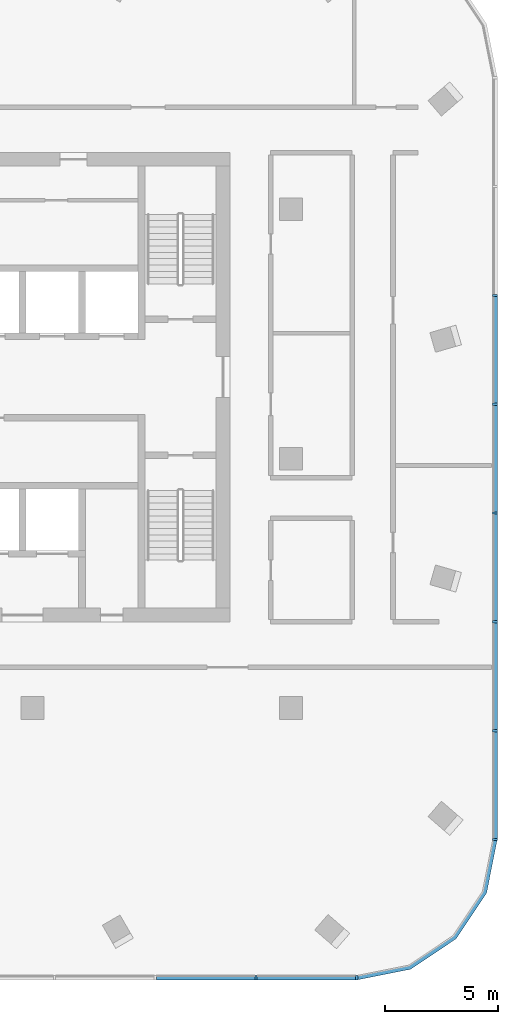
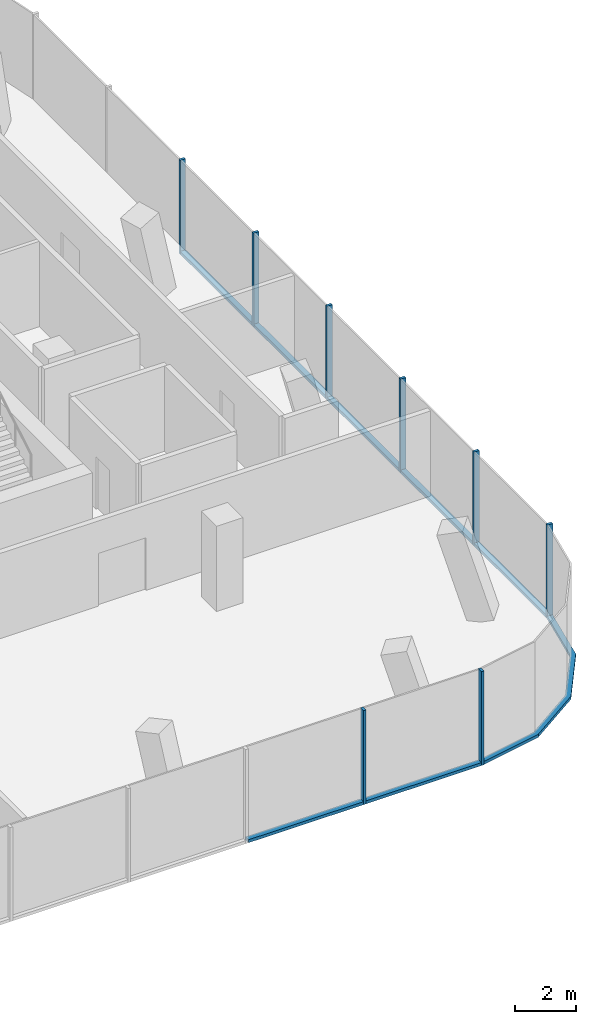
# One storey, part 3 of 11: 16 members, 3 elements without a shape of their own.
"""IFC4 building model written with IfcOpenShell, lengths in metres."""

from ifc_helpers import new_model, si_unit, direction, frame, origin, origin_2d, place, context, subcontext, project, spatial, polyline, rectangle, outline, extrude, material, material_profile, profile_set, type_object, element, aggregate, save


model = new_model("IFC4")

# Units and contexts
model_context = context("Model", 3, precision=1e-05, world=origin(), true_north=direction((0.0, 1.0)))
body_context = subcontext(model_context, "Body", "Model", "MODEL_VIEW")
ifc_project = project(units=[si_unit("LENGTHUNIT", "METRE"), si_unit("AREAUNIT", "SQUARE_METRE"), si_unit("VOLUMEUNIT", "CUBIC_METRE"), si_unit("PLANEANGLEUNIT", "RADIAN"), si_unit("MASSUNIT", "GRAM", prefix="KILO")], contexts=[model_context])

# Site, building, storey
site_placement = place(None, origin())
site = spatial("IfcSite", under=ifc_project, at=site_placement, CompositionType="ELEMENT")
building_placement = place(site_placement, origin())
building = spatial("IfcBuilding", under=site, at=building_placement, Name="Mopane Tessera Tower", CompositionType="ELEMENT")
storey_placement = place(building_placement, frame((0.0, 0.0, 333.39990234375)))
storey = spatial("IfcBuildingStorey", under=building, at=storey_placement, Name="L73", CompositionType="ELEMENT", Elevation=333.39990234375)

# Curtain wall, members
ifc_material_1 = material(Name="Aluminium frame", Category="aluminium")
curtain_wall_type = type_object("IfcCurtainWallType", Name="Unitised curtain wall", PredefinedType="NOTDEFINED", material=ifc_material_1)
curtain_wall_1_placement = place(storey_placement, origin())
curtain_wall_1 = element("IfcCurtainWall", 1, at=curtain_wall_1_placement, inside=storey, type_object=curtain_wall_type, Name="e:cw:L73:S:0", PredefinedType="NOTDEFINED")
ifc_material_2 = material(Name="Aluminium frame", Category="aluminium")
ifc_material_profile_1 = material_profile(ifc_material_2, rectangle(XDim=0.10009765625, YDim=0.199951171875, at=origin_2d()))
ifc_profile_set_1 = profile_set([ifc_material_profile_1], Name="Aluminium frame")
member_type_1 = type_object("IfcMemberType", Name="Aluminium mullion 100 x 200", PredefinedType="MULLION", material=ifc_profile_set_1)
member_1_placement = place(storey_placement, frame((15.5556640625, -22.89990234375, -0.349853515625), z_axis=(0.0, 0.0, 1.0), x_axis=(1.0, 0.0, 0.0)))
member_1 = element("IfcMember", 2, at=member_1_placement, type_object=member_type_1, Name="e:cw:L73:S:0:mu8", PredefinedType="MULLION", context=body_context, shape_type="SweptSolid", body=[
    extrude(rectangle(XDim=0.10009765625, YDim=0.199951171875, at=origin_2d()), origin(), (0.0, 0.0, 1.0), 3.75),
])
member_2_placement = place(storey_placement, frame((20.0, -22.89990234375, -0.349853515625), z_axis=(0.0, 0.0, 1.0), x_axis=(1.0, 0.0, 0.0)))
member_2 = element("IfcMember", 3, at=member_2_placement, type_object=member_type_1, Name="e:cw:L73:S:0:mu9", PredefinedType="MULLION", context=body_context, shape_type="SweptSolid", body=[
    extrude(rectangle(XDim=0.10009765625, YDim=0.199951171875, at=origin_2d()), origin(), (0.0, 0.0, 1.0), 3.75),
])

curtain_wall_2_placement = place(storey_placement, origin())
curtain_wall_2 = element("IfcCurtainWall", 4, at=curtain_wall_2_placement, inside=storey, type_object=curtain_wall_type, Name="e:cw:L73:E:0", PredefinedType="NOTDEFINED")
member_3_placement = place(storey_placement, frame((26.10009765625, -16.800048828125, -0.349853515625), z_axis=(0.0, 0.0, 1.0), x_axis=(0.0, 1.0, 0.0)))
member_3 = element("IfcMember", 5, at=member_3_placement, type_object=member_type_1, Name="e:cw:L73:E:0:mu0", PredefinedType="MULLION", context=body_context, shape_type="SweptSolid", body=[
    extrude(rectangle(XDim=0.10009765625, YDim=0.199951171875, at=origin_2d()), origin(), (0.0, 0.0, 1.0), 3.75),
])
member_4_placement = place(storey_placement, frame((26.10009765625, -12.0, -0.349853515625), z_axis=(0.0, 0.0, 1.0), x_axis=(0.0, 1.0, 0.0)))
member_4 = element("IfcMember", 6, at=member_4_placement, type_object=member_type_1, Name="e:cw:L73:E:0:mu1", PredefinedType="MULLION", context=body_context, shape_type="SweptSolid", body=[
    extrude(rectangle(XDim=0.10009765625, YDim=0.199951171875, at=origin_2d()), origin(), (0.0, 0.0, 1.0), 3.75),
])
member_5_placement = place(storey_placement, frame((26.10009765625, -7.199951171875, -0.349853515625), z_axis=(0.0, 0.0, 1.0), x_axis=(0.0, 1.0, 0.0)))
member_5 = element("IfcMember", 7, at=member_5_placement, type_object=member_type_1, Name="e:cw:L73:E:0:mu2", PredefinedType="MULLION", context=body_context, shape_type="SweptSolid", body=[
    extrude(rectangle(XDim=0.10009765625, YDim=0.199951171875, at=origin_2d()), origin(), (0.0, 0.0, 1.0), 3.75),
])
member_6_placement = place(storey_placement, frame((26.10009765625, -2.39990234375, -0.349853515625), z_axis=(0.0, 0.0, 1.0), x_axis=(0.0, 1.0, 0.0)))
member_6 = element("IfcMember", 8, at=member_6_placement, type_object=member_type_1, Name="e:cw:L73:E:0:mu3", PredefinedType="MULLION", context=body_context, shape_type="SweptSolid", body=[
    extrude(rectangle(XDim=0.10009765625, YDim=0.199951171875, at=origin_2d()), origin(), (0.0, 0.0, 1.0), 3.75),
])
member_7_placement = place(storey_placement, frame((26.10009765625, 2.39990234375, -0.349853515625), z_axis=(0.0, 0.0, 1.0), x_axis=(0.0, 1.0, 0.0)))
member_7 = element("IfcMember", 9, at=member_7_placement, type_object=member_type_1, Name="e:cw:L73:E:0:mu4", PredefinedType="MULLION", context=body_context, shape_type="SweptSolid", body=[
    extrude(rectangle(XDim=0.10009765625, YDim=0.199951171875, at=origin_2d()), origin(), (0.0, 0.0, 1.0), 3.75),
])
member_8_placement = place(storey_placement, frame((26.10009765625, 7.199951171875, -0.349853515625), z_axis=(0.0, 0.0, 1.0), x_axis=(0.0, 1.0, 0.0)))
member_8 = element("IfcMember", 10, at=member_8_placement, type_object=member_type_1, Name="e:cw:L73:E:0:mu5", PredefinedType="MULLION", context=body_context, shape_type="SweptSolid", body=[
    extrude(rectangle(XDim=0.10009765625, YDim=0.199951171875, at=origin_2d()), origin(), (0.0, 0.0, 1.0), 3.75),
])

# Member
ifc_material_3 = material(Name="Aluminium frame", Category="aluminium")
ifc_material_profile_2 = material_profile(ifc_material_3, rectangle(XDim=0.199951171875, YDim=0.1201171875, at=origin_2d()))
ifc_profile_set_2 = profile_set([ifc_material_profile_2], Name="Aluminium frame")
member_type_2 = type_object("IfcMemberType", Name="Aluminium transom 200 x 120", PredefinedType="USERDEFINED", material=ifc_profile_set_2)
member_9_placement = place(storey_placement, frame((11.1611328125, -22.89990234375, -0.289794921875), z_axis=(1.0, 0.0, 0.0), x_axis=(0.0, 1.0, 0.0)))
member_9 = element("IfcMember", 11, at=member_9_placement, type_object=member_type_2, Name="e:cw:L73:S:0:tr7", ObjectType="TRANSOM", PredefinedType="USERDEFINED", context=body_context, shape_type="SweptSolid", body=[
    extrude(rectangle(XDim=0.199951171875, YDim=0.1201171875, at=origin_2d()), origin(), (0.0, 0.0, 1.0), 4.344482421875),
])

member_10_placement = place(storey_placement, frame((15.60546875, -22.89990234375, -0.289794921875), z_axis=(1.0, 0.0, 0.0), x_axis=(0.0, 1.0, 0.0)))
member_10 = element("IfcMember", 12, at=member_10_placement, type_object=member_type_2, Name="e:cw:L73:S:0:tr8", ObjectType="TRANSOM", PredefinedType="USERDEFINED", context=body_context, shape_type="SweptSolid", body=[
    extrude(rectangle(XDim=0.199951171875, YDim=0.1201171875, at=origin_2d()), origin(), (0.0, 0.0, 1.0), 4.344482421875),
])

aggregate(curtain_wall_1, [member_1, member_2, member_9, member_10])

# Curtain wall, member
curtain_wall_3_placement = place(storey_placement, origin())
curtain_wall_3 = element("IfcCurtainWall", 13, at=curtain_wall_3_placement, inside=storey, type_object=curtain_wall_type, Name="e:cw:L73:CS", PredefinedType="NOTDEFINED")
member_11_placement = place(storey_placement, frame((0.0, 0.0, -0.349853515625)))
member_11 = element("IfcMember", 14, at=member_11_placement, type_object=member_type_2, Name="e:cw:L73:CS:tr", ObjectType="TRANSOM", PredefinedType="USERDEFINED", context=body_context, shape_type="SweptSolid", body=[
    extrude(outline(polyline([(20.0, -22.800048828125), (22.296142578125, -22.34326171875), (24.24267578125, -21.042724609375), (25.543212890625, -19.09619140625), (26.0, -16.800048828125), (26.199951171875, -16.800048828125), (25.72802734375, -19.172607421875), (24.384033203125, -21.18408203125), (22.37255859375, -22.528076171875), (20.0, -23.0), (20.0, -22.800048828125)])), origin(), (0.0, 0.0, 1.0), 0.119873046875),
])
aggregate(curtain_wall_3, [member_11])

# Member
member_12_placement = place(storey_placement, frame((26.10009765625, -16.75, -0.289794921875), z_axis=(0.0, 1.0, 0.0), x_axis=(-1.0, 0.0, 0.0)))
member_12 = element("IfcMember", 15, at=member_12_placement, type_object=member_type_2, Name="e:cw:L73:E:0:tr0", ObjectType="TRANSOM", PredefinedType="USERDEFINED", context=body_context, shape_type="SweptSolid", body=[
    extrude(rectangle(XDim=0.199951171875, YDim=0.1201171875, at=origin_2d()), origin(), (0.0, 0.0, 1.0), 4.699951171875),
])

member_13_placement = place(storey_placement, frame((26.10009765625, -11.949951171875, -0.289794921875), z_axis=(0.0, 1.0, 0.0), x_axis=(-1.0, 0.0, 0.0)))
member_13 = element("IfcMember", 16, at=member_13_placement, type_object=member_type_2, Name="e:cw:L73:E:0:tr1", ObjectType="TRANSOM", PredefinedType="USERDEFINED", context=body_context, shape_type="SweptSolid", body=[
    extrude(rectangle(XDim=0.199951171875, YDim=0.1201171875, at=origin_2d()), origin(), (0.0, 0.0, 1.0), 4.699951171875),
])

member_14_placement = place(storey_placement, frame((26.10009765625, -7.14990234375, -0.289794921875), z_axis=(0.0, 1.0, 0.0), x_axis=(-1.0, 0.0, 0.0)))
member_14 = element("IfcMember", 17, at=member_14_placement, type_object=member_type_2, Name="e:cw:L73:E:0:tr2", ObjectType="TRANSOM", PredefinedType="USERDEFINED", context=body_context, shape_type="SweptSolid", body=[
    extrude(rectangle(XDim=0.199951171875, YDim=0.1201171875, at=origin_2d()), origin(), (0.0, 0.0, 1.0), 4.699951171875),
])

member_15_placement = place(storey_placement, frame((26.10009765625, -2.35009765625, -0.289794921875), z_axis=(0.0, 1.0, 0.0), x_axis=(-1.0, 0.0, 0.0)))
member_15 = element("IfcMember", 18, at=member_15_placement, type_object=member_type_2, Name="e:cw:L73:E:0:tr3", ObjectType="TRANSOM", PredefinedType="USERDEFINED", context=body_context, shape_type="SweptSolid", body=[
    extrude(rectangle(XDim=0.199951171875, YDim=0.1201171875, at=origin_2d()), origin(), (0.0, 0.0, 1.0), 4.7001953125),
])

member_16_placement = place(storey_placement, frame((26.10009765625, 2.449951171875, -0.289794921875), z_axis=(0.0, 1.0, 0.0), x_axis=(-1.0, 0.0, 0.0)))
member_16 = element("IfcMember", 19, at=member_16_placement, type_object=member_type_2, Name="e:cw:L73:E:0:tr4", ObjectType="TRANSOM", PredefinedType="USERDEFINED", context=body_context, shape_type="SweptSolid", body=[
    extrude(rectangle(XDim=0.199951171875, YDim=0.1201171875, at=origin_2d()), origin(), (0.0, 0.0, 1.0), 4.699951171875),
])

aggregate(curtain_wall_2, [member_3, member_4, member_5, member_6, member_7, member_8, member_12, member_13, member_14, member_15, member_16])

save(model, "model.ifc")
